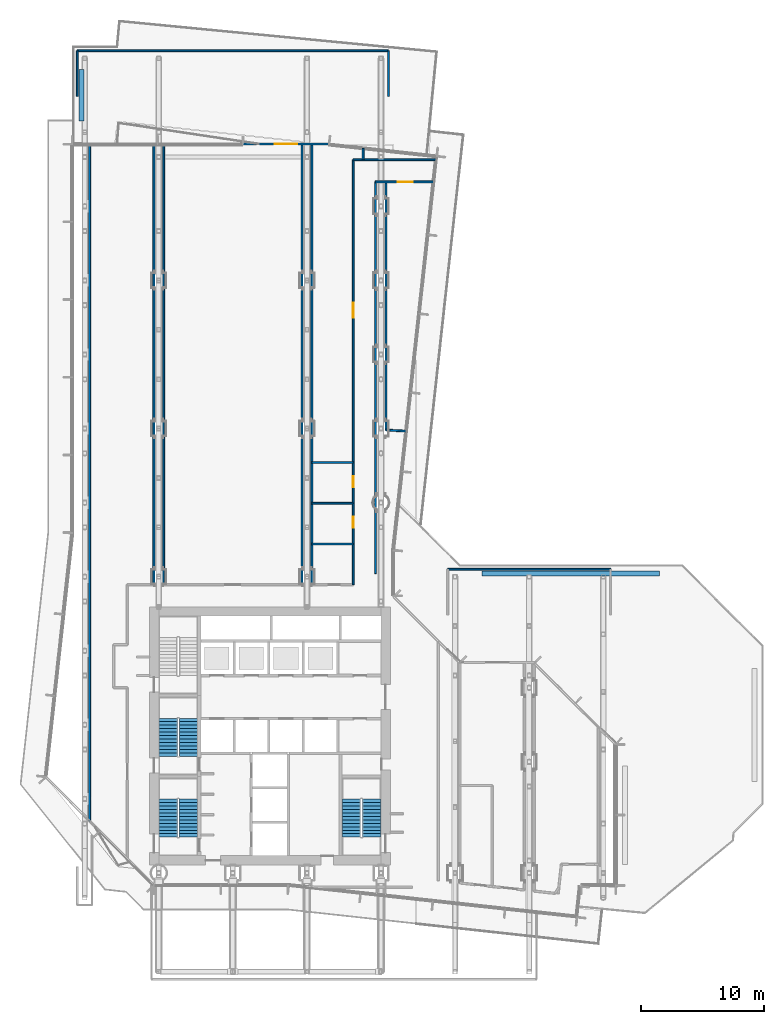
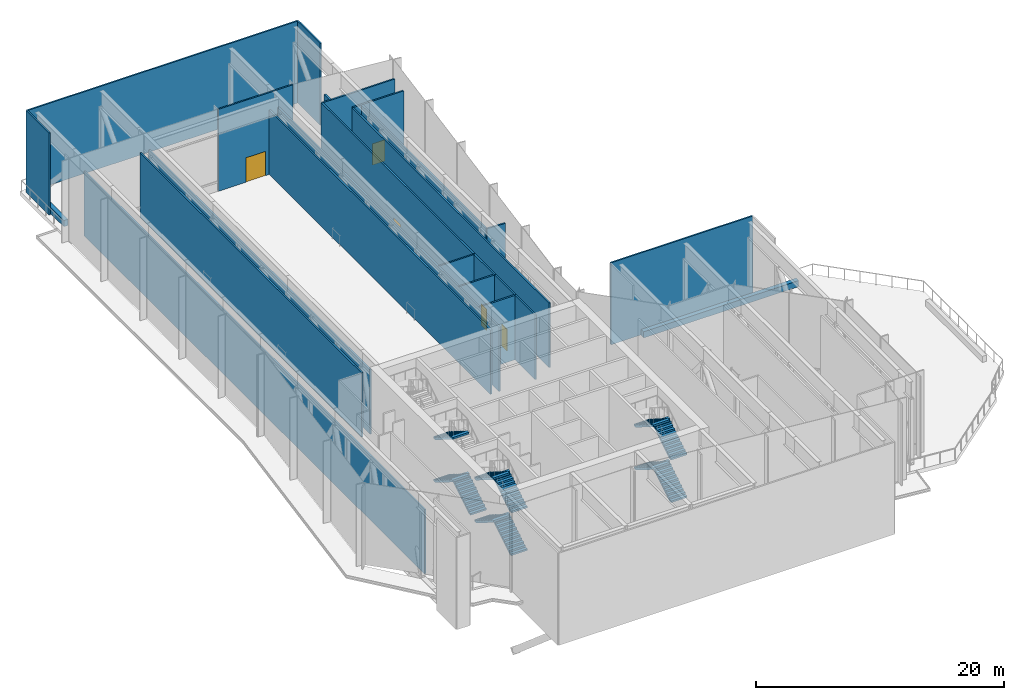
# One storey, part 15 of 24: 25 walls, 11 stair flights, 5 doors, 5 openings, 3 elements without a shape of their own.
"""IFC4 building model written with IfcOpenShell, lengths in metres."""

from ifc_helpers import new_model, si_unit, direction, frame, frame_2d, origin, place, context, subcontext, project, spatial, polyline, rectangle, outline, extrude, material, layer, layer_set, type_object, element, fill, aggregate, save


model = new_model("IFC4")

# Units and contexts
model_context = context("Model", 3, precision=1e-05, world=origin(), true_north=direction((0.0, 1.0)))
body_context = subcontext(model_context, "Body", "Model", "MODEL_VIEW")
ifc_project = project(units=[si_unit("LENGTHUNIT", "METRE"), si_unit("AREAUNIT", "SQUARE_METRE"), si_unit("VOLUMEUNIT", "CUBIC_METRE"), si_unit("PLANEANGLEUNIT", "RADIAN"), si_unit("MASSUNIT", "GRAM", prefix="KILO")], contexts=[model_context])

# Site, building, storey
site_placement = place(None, origin())
site = spatial("IfcSite", under=ifc_project, at=site_placement, CompositionType="ELEMENT")
building_placement = place(site_placement, origin())
building = spatial("IfcBuilding", under=site, at=building_placement, Name="Welwitschia Terrace Campus", CompositionType="ELEMENT")
storey_placement = place(building_placement, frame((0.0, 0.0, 138.199951171875)))
storey = spatial("IfcBuildingStorey", under=building, at=storey_placement, Name="L31", CompositionType="ELEMENT", Elevation=138.199951171875)

# Wall, opening, door
ifc_material_1 = material(Name="Concrete C40/50", Category="concrete")
ifc_layer_1 = layer(ifc_material_1, 0.139892578125)
ifc_layer_set_1 = layer_set([ifc_layer_1], Name="Concrete C40/50")
wall_type_1 = type_object("IfcWallType", Name="Clad wall 140", PredefinedType="SOLIDWALL", material=ifc_layer_set_1)
wall_1_placement = place(storey_placement, frame((19.765625, 63.050048828125, 0.0), z_axis=(0.0, 0.0, 1.0), x_axis=(-1.0, 0.0, 0.0)))
wall_1 = element("IfcWall", 1, at=wall_1_placement, inside=storey, type_object=wall_type_1, Name="Clad wall L31.terrace door 1", PredefinedType="SOLIDWALL", context=body_context, shape_type="SweptSolid", body=[
    extrude(rectangle(XDim=6.9384765625, YDim=0.139892578125, at=frame_2d((3.46923828125, 0.0))), origin(), (0.0, 0.0, 1.0), 8.050048828125),
])
opening_1_placement = place(wall_1_placement, frame((2.5693359375, 0.0, 0.0)))
opening_1 = element("IfcOpeningElement", 2, at=opening_1_placement, cuts=wall_1, Name="Opening DE3", PredefinedType="OPENING", context=body_context, shape_type="SweptSolid", body=[
    extrude(rectangle(XDim=1.800048828125, YDim=2.39990234375, at=frame_2d((0.89990234375, 1.199951171875))), frame((0.0, 0.079833984375, 0.0), z_axis=(0.0, -1.0, 0.0), x_axis=(1.0, 0.0, 0.0)), (0.0, 0.0, 1.0), 0.159912109375),
])
ifc_material_2 = material(Name="Bronze anodised aluminium and glass", Category="aluminium")
door_type_1 = type_object("IfcDoorType", Name="Terrace door 1800x2400", OperationType="DOUBLE_DOOR_DOUBLE_SWING", PredefinedType="DOOR", material=ifc_material_2)
door_1_placement = place(opening_1_placement, origin())
door_1 = element("IfcDoor", 3, at=door_1_placement, inside=storey, type_object=door_type_1, Name="Door L31:T1", OperationType="DOUBLE_DOOR_DOUBLE_SWING", OverallHeight=2.39990234375, OverallWidth=1.800048828125, PredefinedType="DOOR", context=body_context, shape_type="SweptSolid", body=[
    extrude(rectangle(XDim=1.800048828125, YDim=2.39990234375, at=frame_2d((0.89990234375, 1.199951171875))), frame((0.0, 0.02490234375, 0.0), z_axis=(0.0, -1.0, 0.0), x_axis=(1.0, 0.0, 0.0)), (0.0, 0.0, 1.0), 0.050048828125),
])
fill(opening_1, door_1)

# Walls
wall_2_placement = place(storey_placement, frame((-0.60009765625, 70.60009765625, 0.0), z_axis=(0.0, 0.0, 1.0), x_axis=(1.0, 0.0, 0.0)))
element("IfcWall", 4, at=wall_2_placement, inside=storey, type_object=wall_type_1, Name="Clad wall L31.tip fascia Nb0 end", PredefinedType="SOLIDWALL", context=body_context, shape_type="SweptSolid", body=[
    extrude(rectangle(XDim=25.2001953125, YDim=0.139892578125, at=frame_2d((12.60009765625, 0.0))), origin(), (0.0, 0.0, 1.0), 8.050048828125),
])
for number, where, z_axis, x_axis, name in (
    (5, (-0.60009765625, 66.89990234375, 0.0), (0.0, 0.0, 1.0), (0.0, 1.0, 0.0), "Clad wall L31.tip fascia Nb0 w"),
    (6, (24.60009765625, 66.89990234375, 0.0), (0.0, 0.0, 1.0), (0.0, 1.0, 0.0), "Clad wall L31.tip fascia Nb0 e"),
):
    element("IfcWall", number, at=place(storey_placement, frame(where, z_axis=z_axis, x_axis=x_axis)), inside=storey, type_object=wall_type_1, Name=name, PredefinedType="SOLIDWALL", context=body_context, shape_type="SweptSolid", body=[
        extrude(rectangle(XDim=3.7001953125, YDim=0.139892578125, at=frame_2d((1.85009765625, 0.0))), origin(), (0.0, 0.0, 1.0), 8.050048828125),
    ])
wall_3_placement = place(storey_placement, frame((29.39990234375, 28.60009765625, 0.0), z_axis=(0.0, 0.0, 1.0), x_axis=(1.0, 0.0, 0.0)))
element("IfcWall", 7, at=wall_3_placement, inside=storey, type_object=wall_type_1, Name="Clad wall L31.tip fascia Nb1 end", PredefinedType="SOLIDWALL", context=body_context, shape_type="SweptSolid", body=[
    extrude(rectangle(XDim=13.2001953125, YDim=0.139892578125, at=frame_2d((6.60009765625, 0.0))), origin(), (0.0, 0.0, 1.0), 8.050048828125),
])
ifc_material_3 = material(Name="Gypsum board on steel studs", Category="steel")
ifc_layer_2 = layer(ifc_material_3, 0.14990234375)
ifc_layer_set_2 = layer_set([ifc_layer_2], Name="Gypsum board on steel studs")
wall_type_2 = type_object("IfcWallType", Name="Corridor partition 150 EI 30", PredefinedType="PARTITIONING", material=ifc_layer_set_2)
wall_4_placement = place(storey_placement, frame((0.39990234375, 8.199951171875, 0.0), z_axis=(0.0, 0.0, 1.0), x_axis=(0.0, 1.0, 0.0)))
element("IfcWall", 8, at=wall_4_placement, inside=storey, type_object=wall_type_2, Name="Partition", PredefinedType="PARTITIONING", context=body_context, shape_type="SweptSolid", body=[
    extrude(rectangle(XDim=54.800048828125, YDim=0.14990234375, at=frame_2d((27.39990234375, 0.0))), origin(), (0.0, 0.0, 1.0), 6.330078125),
])
for number, where, z_axis, x_axis, name in (
    (9, (5.60009765625, 27.35009765625, 0.0), (0.0, 0.0, 1.0), (0.0, 1.0, 0.0), "Partition"),
    (10, (6.39990234375, 27.35009765625, 0.0), (0.0, 0.0, 1.0), (0.0, 1.0, 0.0), "Partition"),
    (11, (17.60009765625, 27.35009765625, 0.0), (0.0, 0.0, 1.0), (0.0, 1.0, 0.0), "Partition"),
    (12, (18.39990234375, 27.35009765625, 0.0), (0.0, 0.0, 1.0), (0.0, 1.0, 0.0), "Partition"),
):
    element("IfcWall", number, at=place(storey_placement, frame(where, z_axis=z_axis, x_axis=x_axis)), inside=storey, type_object=wall_type_2, Name=name, PredefinedType="PARTITIONING", context=body_context, shape_type="SweptSolid", body=[
        extrude(rectangle(XDim=35.64990234375, YDim=0.14990234375, at=frame_2d((17.824951171875, 0.0))), origin(), (0.0, 0.0, 1.0), 6.330078125),
    ])
for number, where, z_axis, x_axis, name in (
    (13, (18.39990234375, 30.64990234375, 0.0), (0.0, 0.0, 1.0), (1.0, 0.0, 0.0), "Partition"),
    (14, (18.39990234375, 33.949951171875, 0.0), (0.0, 0.0, 1.0), (1.0, 0.0, 0.0), "Partition"),
    (15, (18.39990234375, 37.25, 0.0), (0.0, 0.0, 1.0), (1.0, 0.0, 0.0), "Partition"),
):
    element("IfcWall", number, at=place(storey_placement, frame(where, z_axis=z_axis, x_axis=x_axis)), inside=storey, type_object=wall_type_2, Name=name, PredefinedType="PARTITIONING", context=body_context, shape_type="SweptSolid", body=[
        extrude(rectangle(XDim=3.35009765625, YDim=0.14990234375, at=frame_2d((1.675048828125, 0.0))), origin(), (0.0, 0.0, 1.0), 6.330078125),
    ])
wall_5_placement = place(storey_placement, frame((21.75, 27.35009765625, 0.0), z_axis=(0.0, 0.0, 1.0), x_axis=(0.0, 1.0, 0.0)))
element("IfcWall", 16, at=wall_5_placement, inside=storey, type_object=wall_type_2, Name="Partition", PredefinedType="PARTITIONING", context=body_context, shape_type="SweptSolid", body=[
    extrude(rectangle(XDim=3.2998046875, YDim=0.14990234375, at=frame_2d((1.64990234375, 0.0))), origin(), (0.0, 0.0, 1.0), 6.330078125),
])

# Wall, opening, door
wall_6_placement = place(storey_placement, frame((21.75, 30.64990234375, 0.0), z_axis=(0.0, 0.0, 1.0), x_axis=(0.0, 1.0, 0.0)))
wall_6 = element("IfcWall", 17, at=wall_6_placement, inside=storey, type_object=wall_type_2, Name="Partition", PredefinedType="PARTITIONING", context=body_context, shape_type="SweptSolid", body=[
    extrude(rectangle(XDim=3.300048828125, YDim=0.14990234375, at=frame_2d((1.64990234375, 0.0))), origin(), (0.0, 0.0, 1.0), 6.330078125),
])
opening_2_placement = place(wall_6_placement, frame((1.300048828125, 0.0, 0.0)))
opening_2 = element("IfcOpeningElement", 18, at=opening_2_placement, cuts=wall_6, Name="Opening DI09", PredefinedType="OPENING", context=body_context, shape_type="SweptSolid", body=[
    extrude(rectangle(XDim=0.89990234375, YDim=2.10009765625, at=frame_2d((0.449951171875, 1.050048828125))), frame((0.0, 0.0849609375, 0.0), z_axis=(0.0, -1.0, 0.0), x_axis=(1.0, 0.0, 0.0)), (0.0, 0.0, 1.0), 0.169921875),
])
ifc_material_4 = material(Name="Timber veneered door", Category="wood")
door_type_2 = type_object("IfcDoorType", Name="Interior door DI09", OperationType="NOTDEFINED", PredefinedType="DOOR", material=ifc_material_4)
door_2_placement = place(opening_2_placement, origin())
door_2 = element("IfcDoor", 19, at=door_2_placement, inside=storey, type_object=door_type_2, Name="Door L31 652", OperationType="SINGLE_SWING_LEFT", OverallHeight=2.10009765625, OverallWidth=0.89990234375, PredefinedType="DOOR", context=body_context, shape_type="SweptSolid", body=[
    extrude(rectangle(XDim=0.89990234375, YDim=2.10009765625, at=frame_2d((0.449951171875, 1.050048828125))), frame((0.0, 0.02490234375, 0.0), z_axis=(0.0, -1.0, 0.0), x_axis=(1.0, 0.0, 0.0)), (0.0, 0.0, 1.0), 0.050048828125),
])
fill(opening_2, door_2)

wall_7_placement = place(storey_placement, frame((21.75, 33.949951171875, 0.0), z_axis=(0.0, 0.0, 1.0), x_axis=(0.0, 1.0, 0.0)))
wall_7 = element("IfcWall", 20, at=wall_7_placement, inside=storey, type_object=wall_type_2, Name="Partition", PredefinedType="PARTITIONING", context=body_context, shape_type="SweptSolid", body=[
    extrude(rectangle(XDim=3.300048828125, YDim=0.14990234375, at=frame_2d((1.64990234375, 0.0))), origin(), (0.0, 0.0, 1.0), 6.330078125),
])
opening_3_placement = place(wall_7_placement, frame((1.300048828125, 0.0, 0.0)))
opening_3 = element("IfcOpeningElement", 21, at=opening_3_placement, cuts=wall_7, Name="Opening DI09", PredefinedType="OPENING", context=body_context, shape_type="SweptSolid", body=[
    extrude(rectangle(XDim=0.89990234375, YDim=2.10009765625, at=frame_2d((0.449951171875, 1.050048828125))), frame((0.0, 0.0849609375, 0.0), z_axis=(0.0, -1.0, 0.0), x_axis=(1.0, 0.0, 0.0)), (0.0, 0.0, 1.0), 0.169921875),
])
door_3_placement = place(opening_3_placement, origin())
door_3 = element("IfcDoor", 22, at=door_3_placement, inside=storey, type_object=door_type_2, Name="Door L31 653", OperationType="SINGLE_SWING_RIGHT", OverallHeight=2.10009765625, OverallWidth=0.89990234375, PredefinedType="DOOR", context=body_context, shape_type="SweptSolid", body=[
    extrude(rectangle(XDim=0.89990234375, YDim=2.10009765625, at=frame_2d((0.449951171875, 1.050048828125))), frame((0.0, 0.02490234375, 0.0), z_axis=(0.0, -1.0, 0.0), x_axis=(1.0, 0.0, 0.0)), (0.0, 0.0, 1.0), 0.050048828125),
])
fill(opening_3, door_3)

wall_8_placement = place(storey_placement, frame((21.75, 37.25, 0.0), z_axis=(0.0, 0.0, 1.0), x_axis=(0.0, 1.0, 0.0)))
wall_8 = element("IfcWall", 23, at=wall_8_placement, inside=storey, type_object=wall_type_2, Name="Partition", PredefinedType="PARTITIONING", context=body_context, shape_type="SweptSolid", body=[
    extrude(rectangle(XDim=24.530029296875, YDim=0.14990234375, at=frame_2d((12.26513671875, 0.0))), origin(), (0.0, 0.0, 1.0), 6.330078125),
])
opening_4_placement = place(wall_8_placement, frame((11.72998046875, 0.0, 0.0)))
opening_4 = element("IfcOpeningElement", 24, at=opening_4_placement, cuts=wall_8, Name="Opening DI12", PredefinedType="OPENING", context=body_context, shape_type="SweptSolid", body=[
    extrude(rectangle(XDim=1.199951171875, YDim=2.10009765625, at=frame_2d((0.60009765625, 1.050048828125))), frame((0.0, 0.0849609375, 0.0), z_axis=(0.0, -1.0, 0.0), x_axis=(1.0, 0.0, 0.0)), (0.0, 0.0, 1.0), 0.169921875),
])
ifc_material_5 = material(Name="Timber veneered door", Category="wood")
door_type_3 = type_object("IfcDoorType", Name="Interior door DI12", OperationType="NOTDEFINED", PredefinedType="DOOR", material=ifc_material_5)
door_4_placement = place(opening_4_placement, origin())
door_4 = element("IfcDoor", 25, at=door_4_placement, inside=storey, type_object=door_type_3, Name="Door L31 654", OperationType="SINGLE_SWING_LEFT", OverallHeight=2.10009765625, OverallWidth=1.199951171875, PredefinedType="DOOR", context=body_context, shape_type="SweptSolid", body=[
    extrude(rectangle(XDim=1.199951171875, YDim=2.10009765625, at=frame_2d((0.60009765625, 1.050048828125))), frame((0.0, 0.02490234375, 0.0), z_axis=(0.0, -1.0, 0.0), x_axis=(1.0, 0.0, 0.0)), (0.0, 0.0, 1.0), 0.050048828125),
])
fill(opening_4, door_4)

# Walls
wall_9_placement = place(storey_placement, frame((21.75, 61.780029296875, 0.0), z_axis=(0.0, 0.0, 1.0), x_axis=(1.0, 0.0, 0.0)))
element("IfcWall", 26, at=wall_9_placement, inside=storey, type_object=wall_type_2, Name="Partition", PredefinedType="PARTITIONING", context=body_context, shape_type="SweptSolid", body=[
    extrude(rectangle(XDim=6.719970703125, YDim=0.14990234375, at=frame_2d((3.35986328125, 0.0))), origin(), (0.0, 0.0, 1.0), 6.330078125),
])
wall_10_placement = place(storey_placement, frame((22.550048828125, 61.780029296875, 0.0), z_axis=(0.0, 0.0, 1.0), x_axis=(0.0, 1.0, 0.0)))
element("IfcWall", 27, at=wall_10_placement, inside=storey, type_object=wall_type_2, Name="Partition", PredefinedType="PARTITIONING", context=body_context, shape_type="SweptSolid", body=[
    extrude(rectangle(XDim=0.909912109375, YDim=0.14990234375, at=frame_2d((0.455078125, 0.0))), origin(), (0.0, 0.0, 1.0), 6.330078125),
])
wall_11_placement = place(storey_placement, frame((23.550048828125, 28.25, 0.0), z_axis=(0.0, 0.0, 1.0), x_axis=(0.0, 1.0, 0.0)))
element("IfcWall", 28, at=wall_11_placement, inside=storey, type_object=wall_type_2, Name="Partition", PredefinedType="PARTITIONING", context=body_context, shape_type="SweptSolid", body=[
    extrude(rectangle(XDim=31.72998046875, YDim=0.14990234375, at=frame_2d((15.864990234375, 0.0))), origin(), (0.0, 0.0, 1.0), 6.330078125),
])
wall_12_placement = place(storey_placement, frame((24.39990234375, 39.8798828125, 0.0), z_axis=(0.0, 0.0, 1.0), x_axis=(0.0, 1.0, 0.0)))
element("IfcWall", 29, at=wall_12_placement, inside=storey, type_object=wall_type_2, Name="Partition", PredefinedType="PARTITIONING", context=body_context, shape_type="SweptSolid", body=[
    extrude(rectangle(XDim=20.090087890625, YDim=0.14990234375, at=frame_2d((10.044921875, 0.0))), origin(), (0.0, 0.0, 1.0), 6.330078125),
])
wall_13_placement = place(storey_placement, frame((24.39990234375, 39.8798828125, 0.0), z_axis=(0.0, 0.0, 1.0), x_axis=(0.998538848833, -0.054038572996, 0.0)))
element("IfcWall", 30, at=wall_13_placement, inside=storey, type_object=wall_type_2, Name="Partition", PredefinedType="PARTITIONING", context=body_context, shape_type="SweptSolid", body=[
    extrude(rectangle(XDim=1.66259765625, YDim=0.14990234375, at=frame_2d((0.831298828125, 0.0))), origin(), (0.0, 0.0, 1.0), 6.330078125),
])

# Wall, opening, door
wall_14_placement = place(storey_placement, frame((28.27001953125, 59.97998046875, 0.0), z_axis=(0.0, 0.0, 1.0), x_axis=(-1.0, 0.0, 0.0)))
wall_14 = element("IfcWall", 31, at=wall_14_placement, inside=storey, type_object=wall_type_2, Name="Partition", PredefinedType="PARTITIONING", context=body_context, shape_type="SweptSolid", body=[
    extrude(rectangle(XDim=4.719970703125, YDim=0.14990234375, at=frame_2d((2.35986328125, 0.0))), origin(), (0.0, 0.0, 1.0), 6.330078125),
])
opening_5_placement = place(wall_14_placement, frame((1.699951171875, 0.0, 0.0)))
opening_5 = element("IfcOpeningElement", 32, at=opening_5_placement, cuts=wall_14, Name="Opening DI12", PredefinedType="OPENING", context=body_context, shape_type="SweptSolid", body=[
    extrude(rectangle(XDim=1.199951171875, YDim=2.10009765625, at=frame_2d((0.60009765625, 1.050048828125))), frame((0.0, 0.0849609375, 0.0), z_axis=(0.0, -1.0, 0.0), x_axis=(1.0, 0.0, 0.0)), (0.0, 0.0, 1.0), 0.169921875),
])
door_5_placement = place(opening_5_placement, origin())
door_5 = element("IfcDoor", 33, at=door_5_placement, inside=storey, type_object=door_type_3, Name="Door L31 655", OperationType="SINGLE_SWING_RIGHT", OverallHeight=2.10009765625, OverallWidth=1.199951171875, PredefinedType="DOOR", context=body_context, shape_type="SweptSolid", body=[
    extrude(rectangle(XDim=1.199951171875, YDim=2.10009765625, at=frame_2d((0.60009765625, 1.050048828125))), frame((0.0, 0.02490234375, 0.0), z_axis=(0.0, -1.0, 0.0), x_axis=(1.0, 0.0, 0.0)), (0.0, 0.0, 1.0), 0.050048828125),
])
fill(opening_5, door_5)

# Walls
ifc_material_6 = material(Name="Concrete C40/50", Category="concrete")
ifc_layer_3 = layer(ifc_material_6, 0.39990234375)
ifc_layer_set_3 = layer_set([ifc_layer_3], Name="Concrete C40/50")
wall_type_3 = type_object("IfcWallType", Name="Planter wall 400", PredefinedType="SOLIDWALL", material=ifc_layer_set_3)
wall_15_placement = place(storey_placement, frame((32.1728515625, 28.25, 0.0), z_axis=(0.0, 0.0, 1.0), x_axis=(1.0, 0.0, 0.0)))
element("IfcWall", 34, at=wall_15_placement, inside=storey, type_object=wall_type_3, Name="PLANTER", PredefinedType="SOLIDWALL", context=body_context, shape_type="SweptSolid", body=[
    extrude(rectangle(XDim=14.39990234375, YDim=0.39990234375, at=frame_2d((7.199951171875, 0.0))), origin(), (0.0, 0.0, 1.0), 0.60009765625),
])
wall_16_placement = place(storey_placement, frame((-0.25, 64.89990234375, 0.0), z_axis=(0.0, 0.0, 1.0), x_axis=(0.0, 1.0, 0.0)))
element("IfcWall", 35, at=wall_16_placement, inside=storey, type_object=wall_type_3, Name="PLANTER", PredefinedType="SOLIDWALL", context=body_context, shape_type="SweptSolid", body=[
    extrude(rectangle(XDim=4.2001953125, YDim=0.39990234375, at=frame_2d((2.10009765625, 0.0))), origin(), (0.0, 0.0, 1.0), 0.60009765625),
])

# Stair, stair flights
ifc_material_7 = material(Name="Concrete C40/50", Category="concrete")
stair_type = type_object("IfcStairType", Name="Stair 48R 175 W1500", PredefinedType="HALF_TURN_STAIR", material=ifc_material_7)
stair_1_placement = place(storey_placement, origin())
stair_1 = element("IfcStair", 36, at=stair_1_placement, inside=storey, type_object=stair_type, Name="L31 Exit stair S1", PredefinedType="HALF_TURN_STAIR")
ifc_material_8 = material(Name="Concrete C40/50", Category="concrete")
stair_flight_type = type_object("IfcStairFlightType", Name="Stair flight 48R 175 W1500", PredefinedType="STRAIGHT", material=ifc_material_8)
stair_flight_1_placement = place(storey_placement, frame((8.39990234375, 6.89990234375, 0.0), z_axis=(0.0, 0.0, 1.0), x_axis=(0.0, 1.0, 0.0)))
stair_flight_1 = element("IfcStairFlight", 37, at=stair_flight_1_placement, type_object=stair_flight_type, Name="S1 flight 1", NumberOfRisers=12, NumberOfTreads=11, PredefinedType="STRAIGHT", RiserHeight=0.175, TreadLength=0.28, context=body_context, shape_type="SweptSolid", body=[
    extrude(outline(polyline([(0.0, 0.0), (0.0, 0.175048828125), (0.280029296875, 0.175048828125), (0.280029296875, 0.35009765625), (0.56005859375, 0.35009765625), (0.56005859375, 0.52490234375), (0.840087890625, 0.52490234375), (0.840087890625, 0.699951171875), (1.1201171875, 0.699951171875), (1.1201171875, 0.875), (1.39990234375, 0.875), (1.39990234375, 1.050048828125), (1.679931640625, 1.050048828125), (1.679931640625, 1.22509765625), (1.9599609375, 1.22509765625), (1.9599609375, 1.39990234375), (2.239990234375, 1.39990234375), (2.239990234375, 1.574951171875), (2.52001953125, 1.574951171875), (2.52001953125, 1.75), (2.800048828125, 1.75), (2.800048828125, 1.925048828125), (3.080078125, 1.925048828125), (3.080078125, 2.10009765625), (3.080078125, 1.748291015625), (0.28271484375, 0.0), (0.0, 0.0)])), frame((0.0, 0.75, 0.0), z_axis=(0.0, -1.0, 0.0), x_axis=(1.0, 0.0, 0.0)), (0.0, 0.0, 1.0), 1.5),
])
stair_flight_2_placement = place(storey_placement, frame((6.75, 9.97998046875, 2.10009765625), z_axis=(0.0, 0.0, 1.0), x_axis=(0.0, -1.0, 0.0)))
stair_flight_2 = element("IfcStairFlight", 38, at=stair_flight_2_placement, type_object=stair_flight_type, Name="S1 flight 2", NumberOfRisers=12, NumberOfTreads=11, PredefinedType="STRAIGHT", RiserHeight=0.175, TreadLength=0.28, context=body_context, shape_type="SweptSolid", body=[
    extrude(outline(polyline([(0.0, 0.0), (0.0, 0.175048828125), (0.280029296875, 0.175048828125), (0.280029296875, 0.35009765625), (0.56005859375, 0.35009765625), (0.56005859375, 0.52490234375), (0.840087890625, 0.52490234375), (0.840087890625, 0.699951171875), (1.1201171875, 0.699951171875), (1.1201171875, 0.875), (1.39990234375, 0.875), (1.39990234375, 1.050048828125), (1.679931640625, 1.050048828125), (1.679931640625, 1.22509765625), (1.9599609375, 1.22509765625), (1.9599609375, 1.39990234375), (2.239990234375, 1.39990234375), (2.239990234375, 1.574951171875), (2.52001953125, 1.574951171875), (2.52001953125, 1.75), (2.800048828125, 1.75), (2.800048828125, 1.925048828125), (3.080078125, 1.925048828125), (3.080078125, 2.10009765625), (3.080078125, 1.748291015625), (0.28271484375, 0.0), (0.0, 0.0)])), frame((0.0, 0.75, 0.0), z_axis=(0.0, -1.0, 0.0), x_axis=(1.0, 0.0, 0.0)), (0.0, 0.0, 1.0), 1.5),
])
stair_flight_3_placement = place(storey_placement, frame((8.39990234375, 6.89990234375, 4.199951171875), z_axis=(0.0, 0.0, 1.0), x_axis=(0.0, 1.0, 0.0)))
stair_flight_3 = element("IfcStairFlight", 39, at=stair_flight_3_placement, type_object=stair_flight_type, Name="S1 flight 3", NumberOfRisers=12, NumberOfTreads=11, PredefinedType="STRAIGHT", RiserHeight=0.175, TreadLength=0.28, context=body_context, shape_type="SweptSolid", body=[
    extrude(outline(polyline([(0.0, 0.0), (0.0, 0.175048828125), (0.280029296875, 0.175048828125), (0.280029296875, 0.35009765625), (0.56005859375, 0.35009765625), (0.56005859375, 0.52490234375), (0.840087890625, 0.52490234375), (0.840087890625, 0.699951171875), (1.1201171875, 0.699951171875), (1.1201171875, 0.875), (1.39990234375, 0.875), (1.39990234375, 1.050048828125), (1.679931640625, 1.050048828125), (1.679931640625, 1.22509765625), (1.9599609375, 1.22509765625), (1.9599609375, 1.39990234375), (2.239990234375, 1.39990234375), (2.239990234375, 1.574951171875), (2.52001953125, 1.574951171875), (2.52001953125, 1.75), (2.800048828125, 1.75), (2.800048828125, 1.925048828125), (3.080078125, 1.925048828125), (3.080078125, 2.10009765625), (3.080078125, 1.748291015625), (0.28271484375, 0.0), (0.0, 0.0)])), frame((0.0, 0.75, 0.0), z_axis=(0.0, -1.0, 0.0), x_axis=(1.0, 0.0, 0.0)), (0.0, 0.0, 1.0), 1.5),
])
stair_flight_4_placement = place(storey_placement, frame((6.75, 9.97998046875, 6.300048828125), z_axis=(0.0, 0.0, 1.0), x_axis=(0.0, -1.0, 0.0)))
stair_flight_4 = element("IfcStairFlight", 40, at=stair_flight_4_placement, type_object=stair_flight_type, Name="S1 flight 4", NumberOfRisers=12, NumberOfTreads=11, PredefinedType="STRAIGHT", RiserHeight=0.175, TreadLength=0.28, context=body_context, shape_type="SweptSolid", body=[
    extrude(outline(polyline([(0.0, 0.0), (0.0, 0.175048828125), (0.280029296875, 0.175048828125), (0.280029296875, 0.35009765625), (0.56005859375, 0.35009765625), (0.56005859375, 0.52490234375), (0.840087890625, 0.52490234375), (0.840087890625, 0.699951171875), (1.1201171875, 0.699951171875), (1.1201171875, 0.875), (1.39990234375, 0.875), (1.39990234375, 1.050048828125), (1.679931640625, 1.050048828125), (1.679931640625, 1.22509765625), (1.9599609375, 1.22509765625), (1.9599609375, 1.39990234375), (2.239990234375, 1.39990234375), (2.239990234375, 1.574951171875), (2.52001953125, 1.574951171875), (2.52001953125, 1.75), (2.800048828125, 1.75), (2.800048828125, 1.925048828125), (3.080078125, 1.925048828125), (3.080078125, 2.10009765625), (3.080078125, 1.748291015625), (0.28271484375, 0.0), (0.0, 0.0)])), frame((0.0, 0.75, 0.0), z_axis=(0.0, -1.0, 0.0), x_axis=(1.0, 0.0, 0.0)), (0.0, 0.0, 1.0), 1.5),
])
aggregate(stair_1, [stair_flight_1, stair_flight_2, stair_flight_3, stair_flight_4])

stair_2_placement = place(storey_placement, origin())
stair_2 = element("IfcStair", 41, at=stair_2_placement, inside=storey, type_object=stair_type, Name="L31 Exit stair S3", PredefinedType="HALF_TURN_STAIR")
stair_flight_5_placement = place(storey_placement, frame((8.39990234375, 13.449951171875, 0.0), z_axis=(0.0, 0.0, 1.0), x_axis=(0.0, 1.0, 0.0)))
stair_flight_5 = element("IfcStairFlight", 42, at=stair_flight_5_placement, type_object=stair_flight_type, Name="S3 flight 1", NumberOfRisers=12, NumberOfTreads=11, PredefinedType="STRAIGHT", RiserHeight=0.175, TreadLength=0.28, context=body_context, shape_type="SweptSolid", body=[
    extrude(outline(polyline([(0.0, 0.0), (0.0, 0.175048828125), (0.280029296875, 0.175048828125), (0.280029296875, 0.35009765625), (0.56005859375, 0.35009765625), (0.56005859375, 0.52490234375), (0.840087890625, 0.52490234375), (0.840087890625, 0.699951171875), (1.1201171875, 0.699951171875), (1.1201171875, 0.875), (1.39990234375, 0.875), (1.39990234375, 1.050048828125), (1.679931640625, 1.050048828125), (1.679931640625, 1.22509765625), (1.9599609375, 1.22509765625), (1.9599609375, 1.39990234375), (2.239990234375, 1.39990234375), (2.239990234375, 1.574951171875), (2.52001953125, 1.574951171875), (2.52001953125, 1.75), (2.800048828125, 1.75), (2.800048828125, 1.925048828125), (3.080078125, 1.925048828125), (3.080078125, 2.10009765625), (3.080078125, 1.748291015625), (0.28271484375, 0.0), (0.0, 0.0)])), frame((0.0, 0.75, 0.0), z_axis=(0.0, -1.0, 0.0), x_axis=(1.0, 0.0, 0.0)), (0.0, 0.0, 1.0), 1.5),
])
stair_flight_6_placement = place(storey_placement, frame((6.75, 16.530029296875, 2.10009765625), z_axis=(0.0, 0.0, 1.0), x_axis=(0.0, -1.0, 0.0)))
stair_flight_6 = element("IfcStairFlight", 43, at=stair_flight_6_placement, type_object=stair_flight_type, Name="S3 flight 2", NumberOfRisers=12, NumberOfTreads=11, PredefinedType="STRAIGHT", RiserHeight=0.175, TreadLength=0.28, context=body_context, shape_type="SweptSolid", body=[
    extrude(outline(polyline([(0.0, 0.0), (0.0, 0.175048828125), (0.280029296875, 0.175048828125), (0.280029296875, 0.35009765625), (0.56005859375, 0.35009765625), (0.56005859375, 0.52490234375), (0.840087890625, 0.52490234375), (0.840087890625, 0.699951171875), (1.1201171875, 0.699951171875), (1.1201171875, 0.875), (1.39990234375, 0.875), (1.39990234375, 1.050048828125), (1.679931640625, 1.050048828125), (1.679931640625, 1.22509765625), (1.9599609375, 1.22509765625), (1.9599609375, 1.39990234375), (2.239990234375, 1.39990234375), (2.239990234375, 1.574951171875), (2.52001953125, 1.574951171875), (2.52001953125, 1.75), (2.800048828125, 1.75), (2.800048828125, 1.925048828125), (3.080078125, 1.925048828125), (3.080078125, 2.10009765625), (3.080078125, 1.748291015625), (0.28271484375, 0.0), (0.0, 0.0)])), frame((0.0, 0.75, 0.0), z_axis=(0.0, -1.0, 0.0), x_axis=(1.0, 0.0, 0.0)), (0.0, 0.0, 1.0), 1.5),
])
stair_flight_7_placement = place(storey_placement, frame((6.75, 16.530029296875, 6.300048828125), z_axis=(0.0, 0.0, 1.0), x_axis=(0.0, -1.0, 0.0)))
stair_flight_7 = element("IfcStairFlight", 44, at=stair_flight_7_placement, type_object=stair_flight_type, Name="S3 flight 4", NumberOfRisers=12, NumberOfTreads=11, PredefinedType="STRAIGHT", RiserHeight=0.175, TreadLength=0.28, context=body_context, shape_type="SweptSolid", body=[
    extrude(outline(polyline([(0.0, 0.0), (0.0, 0.175048828125), (0.280029296875, 0.175048828125), (0.280029296875, 0.35009765625), (0.56005859375, 0.35009765625), (0.56005859375, 0.52490234375), (0.840087890625, 0.52490234375), (0.840087890625, 0.699951171875), (1.1201171875, 0.699951171875), (1.1201171875, 0.875), (1.39990234375, 0.875), (1.39990234375, 1.050048828125), (1.679931640625, 1.050048828125), (1.679931640625, 1.22509765625), (1.9599609375, 1.22509765625), (1.9599609375, 1.39990234375), (2.239990234375, 1.39990234375), (2.239990234375, 1.574951171875), (2.52001953125, 1.574951171875), (2.52001953125, 1.75), (2.800048828125, 1.75), (2.800048828125, 1.925048828125), (3.080078125, 1.925048828125), (3.080078125, 2.10009765625), (3.080078125, 1.748291015625), (0.28271484375, 0.0), (0.0, 0.0)])), frame((0.0, 0.75, 0.0), z_axis=(0.0, -1.0, 0.0), x_axis=(1.0, 0.0, 0.0)), (0.0, 0.0, 1.0), 1.5),
])
aggregate(stair_2, [stair_flight_5, stair_flight_6, stair_flight_7])

stair_3_placement = place(storey_placement, origin())
stair_3 = element("IfcStair", 45, at=stair_3_placement, inside=storey, type_object=stair_type, Name="L31 Exit stair S2", PredefinedType="HALF_TURN_STAIR")
stair_flight_8_placement = place(storey_placement, frame((23.25, 6.89990234375, 0.0), z_axis=(0.0, 0.0, 1.0), x_axis=(0.0, 1.0, 0.0)))
stair_flight_8 = element("IfcStairFlight", 46, at=stair_flight_8_placement, type_object=stair_flight_type, Name="S2 flight 1", NumberOfRisers=12, NumberOfTreads=11, PredefinedType="STRAIGHT", RiserHeight=0.175, TreadLength=0.28, context=body_context, shape_type="SweptSolid", body=[
    extrude(outline(polyline([(0.0, 0.0), (0.0, 0.175048828125), (0.280029296875, 0.175048828125), (0.280029296875, 0.35009765625), (0.56005859375, 0.35009765625), (0.56005859375, 0.52490234375), (0.840087890625, 0.52490234375), (0.840087890625, 0.699951171875), (1.1201171875, 0.699951171875), (1.1201171875, 0.875), (1.39990234375, 0.875), (1.39990234375, 1.050048828125), (1.679931640625, 1.050048828125), (1.679931640625, 1.22509765625), (1.9599609375, 1.22509765625), (1.9599609375, 1.39990234375), (2.239990234375, 1.39990234375), (2.239990234375, 1.574951171875), (2.52001953125, 1.574951171875), (2.52001953125, 1.75), (2.800048828125, 1.75), (2.800048828125, 1.925048828125), (3.080078125, 1.925048828125), (3.080078125, 2.10009765625), (3.080078125, 1.748291015625), (0.28271484375, 0.0), (0.0, 0.0)])), frame((0.0, 0.75, 0.0), z_axis=(0.0, -1.0, 0.0), x_axis=(1.0, 0.0, 0.0)), (0.0, 0.0, 1.0), 1.5),
])
stair_flight_9_placement = place(storey_placement, frame((21.60009765625, 9.97998046875, 2.10009765625), z_axis=(0.0, 0.0, 1.0), x_axis=(0.0, -1.0, 0.0)))
stair_flight_9 = element("IfcStairFlight", 47, at=stair_flight_9_placement, type_object=stair_flight_type, Name="S2 flight 2", NumberOfRisers=12, NumberOfTreads=11, PredefinedType="STRAIGHT", RiserHeight=0.175, TreadLength=0.28, context=body_context, shape_type="SweptSolid", body=[
    extrude(outline(polyline([(0.0, 0.0), (0.0, 0.175048828125), (0.280029296875, 0.175048828125), (0.280029296875, 0.35009765625), (0.56005859375, 0.35009765625), (0.56005859375, 0.52490234375), (0.840087890625, 0.52490234375), (0.840087890625, 0.699951171875), (1.1201171875, 0.699951171875), (1.1201171875, 0.875), (1.39990234375, 0.875), (1.39990234375, 1.050048828125), (1.679931640625, 1.050048828125), (1.679931640625, 1.22509765625), (1.9599609375, 1.22509765625), (1.9599609375, 1.39990234375), (2.239990234375, 1.39990234375), (2.239990234375, 1.574951171875), (2.52001953125, 1.574951171875), (2.52001953125, 1.75), (2.800048828125, 1.75), (2.800048828125, 1.925048828125), (3.080078125, 1.925048828125), (3.080078125, 2.10009765625), (3.080078125, 1.748291015625), (0.28271484375, 0.0), (0.0, 0.0)])), frame((0.0, 0.75, 0.0), z_axis=(0.0, -1.0, 0.0), x_axis=(1.0, 0.0, 0.0)), (0.0, 0.0, 1.0), 1.5),
])
stair_flight_10_placement = place(storey_placement, frame((23.25, 6.89990234375, 4.199951171875), z_axis=(0.0, 0.0, 1.0), x_axis=(0.0, 1.0, 0.0)))
stair_flight_10 = element("IfcStairFlight", 48, at=stair_flight_10_placement, type_object=stair_flight_type, Name="S2 flight 3", NumberOfRisers=12, NumberOfTreads=11, PredefinedType="STRAIGHT", RiserHeight=0.175, TreadLength=0.28, context=body_context, shape_type="SweptSolid", body=[
    extrude(outline(polyline([(0.0, 0.0), (0.0, 0.175048828125), (0.280029296875, 0.175048828125), (0.280029296875, 0.35009765625), (0.56005859375, 0.35009765625), (0.56005859375, 0.52490234375), (0.840087890625, 0.52490234375), (0.840087890625, 0.699951171875), (1.1201171875, 0.699951171875), (1.1201171875, 0.875), (1.39990234375, 0.875), (1.39990234375, 1.050048828125), (1.679931640625, 1.050048828125), (1.679931640625, 1.22509765625), (1.9599609375, 1.22509765625), (1.9599609375, 1.39990234375), (2.239990234375, 1.39990234375), (2.239990234375, 1.574951171875), (2.52001953125, 1.574951171875), (2.52001953125, 1.75), (2.800048828125, 1.75), (2.800048828125, 1.925048828125), (3.080078125, 1.925048828125), (3.080078125, 2.10009765625), (3.080078125, 1.748291015625), (0.28271484375, 0.0), (0.0, 0.0)])), frame((0.0, 0.75, 0.0), z_axis=(0.0, -1.0, 0.0), x_axis=(1.0, 0.0, 0.0)), (0.0, 0.0, 1.0), 1.5),
])
stair_flight_11_placement = place(storey_placement, frame((21.60009765625, 9.97998046875, 6.300048828125), z_axis=(0.0, 0.0, 1.0), x_axis=(0.0, -1.0, 0.0)))
stair_flight_11 = element("IfcStairFlight", 49, at=stair_flight_11_placement, type_object=stair_flight_type, Name="S2 flight 4", NumberOfRisers=12, NumberOfTreads=11, PredefinedType="STRAIGHT", RiserHeight=0.175, TreadLength=0.28, context=body_context, shape_type="SweptSolid", body=[
    extrude(outline(polyline([(0.0, 0.0), (0.0, 0.175048828125), (0.280029296875, 0.175048828125), (0.280029296875, 0.35009765625), (0.56005859375, 0.35009765625), (0.56005859375, 0.52490234375), (0.840087890625, 0.52490234375), (0.840087890625, 0.699951171875), (1.1201171875, 0.699951171875), (1.1201171875, 0.875), (1.39990234375, 0.875), (1.39990234375, 1.050048828125), (1.679931640625, 1.050048828125), (1.679931640625, 1.22509765625), (1.9599609375, 1.22509765625), (1.9599609375, 1.39990234375), (2.239990234375, 1.39990234375), (2.239990234375, 1.574951171875), (2.52001953125, 1.574951171875), (2.52001953125, 1.75), (2.800048828125, 1.75), (2.800048828125, 1.925048828125), (3.080078125, 1.925048828125), (3.080078125, 2.10009765625), (3.080078125, 1.748291015625), (0.28271484375, 0.0), (0.0, 0.0)])), frame((0.0, 0.75, 0.0), z_axis=(0.0, -1.0, 0.0), x_axis=(1.0, 0.0, 0.0)), (0.0, 0.0, 1.0), 1.5),
])
aggregate(stair_3, [stair_flight_8, stair_flight_9, stair_flight_10, stair_flight_11])

save(model, "model.ifc")
